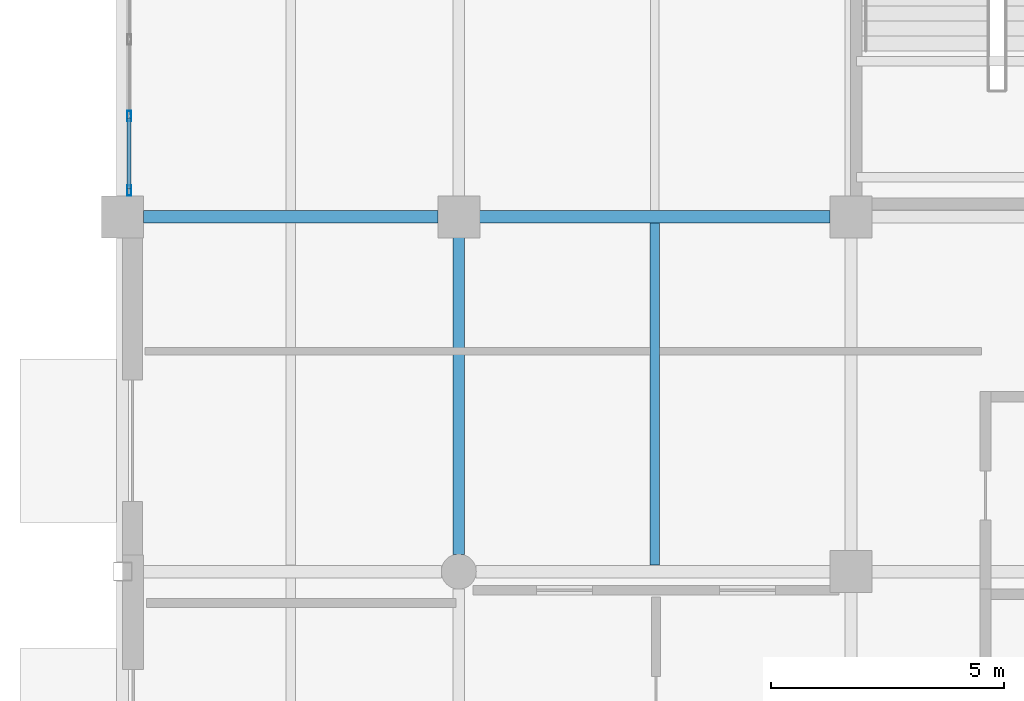
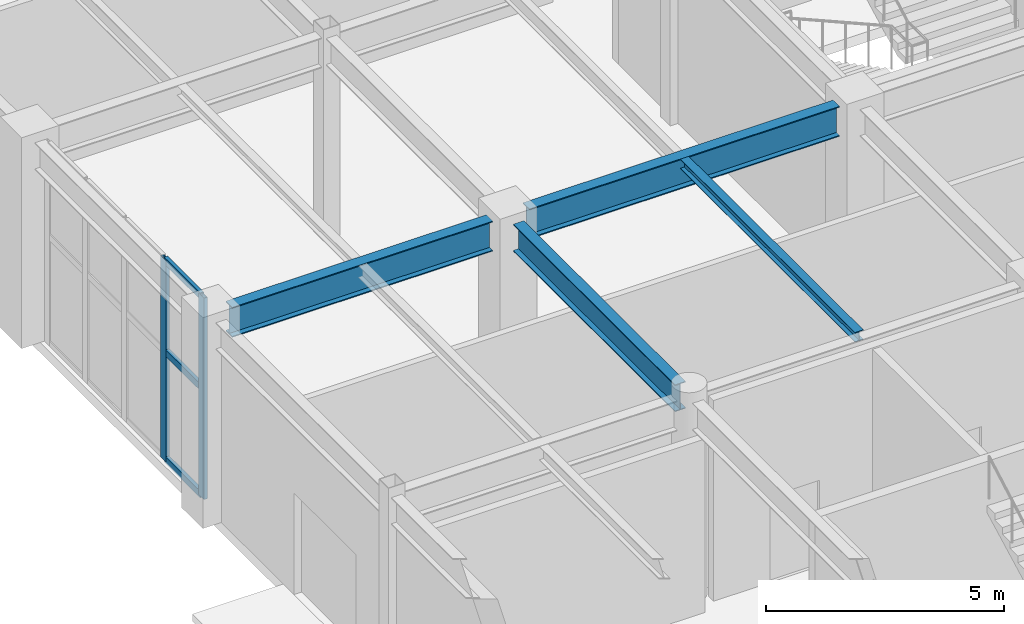
# One storey, part 18 of 139: 5 members, 4 beams, 1 element without a shape of its own.
"""IFC4 building model written with IfcOpenShell, lengths in metres."""

from ifc_helpers import new_model, si_unit, direction, frame, origin, origin_2d, place, context, subcontext, project, spatial, hollow_rectangle, i_section, extrude, material, layer, layer_set, material_profile, profile_set, type_object, element, aggregate, save


model = new_model("IFC4")

# Units and contexts
model_context = context("Model", 3, precision=1e-05, world=origin(), true_north=direction((0.0, 1.0)))
body_context = subcontext(model_context, "Body", "Model", "MODEL_VIEW")
ifc_project = project(units=[si_unit("LENGTHUNIT", "METRE"), si_unit("AREAUNIT", "SQUARE_METRE"), si_unit("VOLUMEUNIT", "CUBIC_METRE"), si_unit("PLANEANGLEUNIT", "RADIAN"), si_unit("MASSUNIT", "GRAM", prefix="KILO")], contexts=[model_context])

# Site, building, storey
site_placement = place(None, origin())
site = spatial("IfcSite", under=ifc_project, at=site_placement, CompositionType="ELEMENT")
building_placement = place(site_placement, origin())
building = spatial("IfcBuilding", under=site, at=building_placement, Name="Xicomal Pleat Aquarium", CompositionType="ELEMENT")
storey_placement = place(building_placement, origin())
storey = spatial("IfcBuildingStorey", under=building, at=storey_placement, Name="L01", CompositionType="ELEMENT", Elevation=0.0)

# Beams
ifc_material_1 = material(Name="Structural steel A992 Gr 50", Category="steel")
ifc_material_profile_1 = material_profile(ifc_material_1, i_section(OverallWidth=0.201904296875, OverallDepth=0.2470703125, WebThickness=0.00732421875, FlangeThickness=0.010986328125, at=origin_2d()), Name="IR 250x49")
ifc_profile_set_1 = profile_set([ifc_material_profile_1], Name="Structural steel A992 Gr 50")
beam_type_1 = type_object("IfcBeamType", Name="BM-STL-IR250", PredefinedType="JOIST", material=ifc_profile_set_1)
beam_1_placement = place(storey_placement, frame((14.39990234375, 38.136962890625, 5.03662109375), z_axis=(0.0, 1.0, 0.0), x_axis=(-1.0, 0.0, 0.0)))
element("IfcBeam", 1, at=beam_1_placement, inside=storey, type_object=beam_type_1, Name="L01 framing beam FBJ-L01-02-F-1", PredefinedType="JOIST", context=body_context, shape_type="SweptSolid", body=[
    extrude(i_section(OverallWidth=0.201904296875, OverallDepth=0.2470703125, WebThickness=0.00732421875, FlangeThickness=0.010986328125, at=origin_2d()), origin(), (0.0, 0.0, 1.0), 7.325927734375),
])
ifc_material_2 = material(Name="Structural steel A992 Gr 50", Category="steel")
ifc_material_profile_2 = material_profile(ifc_material_2, i_section(OverallWidth=0.256103515625, OverallDepth=0.693115234375, WebThickness=0.014404296875, FlangeThickness=0.023681640625, at=origin_2d()), Name="IR 690x170")
ifc_profile_set_2 = profile_set([ifc_material_profile_2], Name="Structural steel A992 Gr 50")
beam_type_2 = type_object("IfcBeamType", Name="BM-STL-IR690", PredefinedType="BEAM", material=ifc_profile_set_2)
beam_2_placement = place(storey_placement, frame((10.199951171875, 38.3701171875, 4.8134765625), z_axis=(0.0, 1.0, 0.0), x_axis=(-1.0, 0.0, 0.0)))
element("IfcBeam", 2, at=beam_2_placement, inside=storey, type_object=beam_type_2, Name="L01 framing beam FGY-L01-02-F-G", PredefinedType="BEAM", context=body_context, shape_type="SweptSolid", body=[
    extrude(i_section(OverallWidth=0.256103515625, OverallDepth=0.693115234375, WebThickness=0.014404296875, FlangeThickness=0.023681640625, at=origin_2d()), origin(), (0.0, 0.0, 1.0), 6.784912109375),
])
ifc_material_3 = material(Name="Structural steel A992 Gr 50", Category="steel")
ifc_material_profile_3 = material_profile(ifc_material_3, i_section(OverallWidth=0.26806640625, OverallDepth=0.77001953125, WebThickness=0.015625, FlangeThickness=0.025390625, at=origin_2d()), Name="IR 760x196")
ifc_profile_set_3 = profile_set([ifc_material_profile_3], Name="Structural steel A992 Gr 50")
beam_type_3 = type_object("IfcBeamType", Name="BM-STL-IR760", PredefinedType="BEAM", material=ifc_profile_set_3)
beam_3_placement = place(storey_placement, frame((3.445068359375, 45.60009765625, 4.77490234375), z_axis=(1.0, 0.0, 0.0), x_axis=(0.0, 1.0, 0.0)))
element("IfcBeam", 3, at=beam_3_placement, inside=storey, type_object=beam_type_3, Name="L01 framing beam FGX-L01-01-02-G", PredefinedType="BEAM", context=body_context, shape_type="SweptSolid", body=[
    extrude(i_section(OverallWidth=0.26806640625, OverallDepth=0.77001953125, WebThickness=0.015625, FlangeThickness=0.025390625, at=origin_2d()), origin(), (0.0, 0.0, 1.0), 6.309814453125),
])
beam_4_placement = place(storey_placement, frame((10.64501953125, 45.60009765625, 4.77490234375), z_axis=(1.0, 0.0, 0.0), x_axis=(0.0, 1.0, 0.0)))
element("IfcBeam", 4, at=beam_4_placement, inside=storey, type_object=beam_type_3, Name="L01 framing beam FGX-L01-02-03-G", PredefinedType="BEAM", context=body_context, shape_type="SweptSolid", body=[
    extrude(i_section(OverallWidth=0.26806640625, OverallDepth=0.77001953125, WebThickness=0.015625, FlangeThickness=0.025390625, at=origin_2d()), origin(), (0.0, 0.0, 1.0), 7.510009765625),
])

# Curtain wall, members
ifc_material_4 = material(Name="Bronze anodized aluminium 6063-T6", Category="aluminium")
ifc_layer = layer(ifc_material_4, 0.159912109375)
ifc_layer_set = layer_set([ifc_layer], Name="Bronze anodized aluminium 6063-T6")
curtain_wall_type = type_object("IfcCurtainWallType", Name="CW-SYS-11", PredefinedType="NOTDEFINED", material=ifc_layer_set)
curtain_wall_placement = place(storey_placement, origin())
curtain_wall = element("IfcCurtainWall", 5, at=curtain_wall_placement, inside=storey, type_object=curtain_wall_type, Name="L01 unitised curtain wall CW-L01-008", PredefinedType="NOTDEFINED")
ifc_material_5 = material(Name="Bronze anodized aluminium 6063-T6", Category="aluminium")
ifc_material_profile_4 = material_profile(ifc_material_5, hollow_rectangle(XDim=0.0849609375, YDim=0.219970703125, WallThickness=0.0048828125, at=origin_2d()), Name="ALU MULL 85x220")
ifc_profile_set_4 = profile_set([ifc_material_profile_4], Name="Bronze anodized aluminium 6063-T6")
member_type_1 = type_object("IfcMemberType", Name="CWM-85x220", PredefinedType="MULLION", material=ifc_profile_set_4)
member_1_placement = place(storey_placement, frame((3.139892578125, 46.16259765625, 0.0), z_axis=(0.0, 0.0, 1.0), x_axis=(-1.0, 0.0, 0.0)))
member_1 = element("IfcMember", 6, at=member_1_placement, type_object=member_type_1, Name="CW-11 mullion 1", PredefinedType="MULLION", context=body_context, shape_type="SweptSolid", body=[
    extrude(hollow_rectangle(XDim=0.0849609375, YDim=0.219970703125, WallThickness=0.0048828125, at=origin_2d()), origin(), (0.0, 0.0, 1.0), 5.159912109375),
])
member_2_placement = place(storey_placement, frame((3.139892578125, 47.760009765625, 0.0), z_axis=(0.0, 0.0, 1.0), x_axis=(-1.0, 0.0, 0.0)))
member_2 = element("IfcMember", 7, at=member_2_placement, type_object=member_type_1, Name="CW-11 mullion 2", PredefinedType="MULLION", context=body_context, shape_type="SweptSolid", body=[
    extrude(hollow_rectangle(XDim=0.0849609375, YDim=0.219970703125, WallThickness=0.0048828125, at=origin_2d()), origin(), (0.0, 0.0, 1.0), 5.159912109375),
])
ifc_material_6 = material(Name="Bronze anodized aluminium 6063-T6", Category="aluminium")
ifc_material_profile_5 = material_profile(ifc_material_6, hollow_rectangle(XDim=0.0849609375, YDim=0.169921875, WallThickness=0.0048828125, at=origin_2d()), Name="ALU TRAN 85x170")
ifc_profile_set_5 = profile_set([ifc_material_profile_5], Name="Bronze anodized aluminium 6063-T6")
member_type_2 = type_object("IfcMemberType", Name="CWT-85x170", PredefinedType="USERDEFINED", material=ifc_profile_set_5)
member_3_placement = place(storey_placement, frame((3.139892578125, 46.205078125, 0.04248046875), z_axis=(0.0, 1.0, 0.0), x_axis=(-1.0, 0.0, 0.0)))
member_3 = element("IfcMember", 8, at=member_3_placement, type_object=member_type_2, Name="CW-11 transom 1.1", ObjectType="TRANSOM", PredefinedType="USERDEFINED", context=body_context, shape_type="SweptSolid", body=[
    extrude(hollow_rectangle(XDim=0.0849609375, YDim=0.169921875, WallThickness=0.0048828125, at=origin_2d()), origin(), (0.0, 0.0, 1.0), 1.512451171875),
])
member_4_placement = place(storey_placement, frame((3.139892578125, 46.205078125, 2.785888671875), z_axis=(0.0, 1.0, 0.0), x_axis=(-1.0, 0.0, 0.0)))
member_4 = element("IfcMember", 9, at=member_4_placement, type_object=member_type_2, Name="CW-11 transom 1.2", ObjectType="TRANSOM", PredefinedType="USERDEFINED", context=body_context, shape_type="SweptSolid", body=[
    extrude(hollow_rectangle(XDim=0.0849609375, YDim=0.169921875, WallThickness=0.0048828125, at=origin_2d()), origin(), (0.0, 0.0, 1.0), 1.512451171875),
])
member_5_placement = place(storey_placement, frame((3.139892578125, 46.205078125, 5.117431640625), z_axis=(0.0, 1.0, 0.0), x_axis=(-1.0, 0.0, 0.0)))
member_5 = element("IfcMember", 10, at=member_5_placement, type_object=member_type_2, Name="CW-11 transom 1.3", ObjectType="TRANSOM", PredefinedType="USERDEFINED", context=body_context, shape_type="SweptSolid", body=[
    extrude(hollow_rectangle(XDim=0.0849609375, YDim=0.169921875, WallThickness=0.0048828125, at=origin_2d()), origin(), (0.0, 0.0, 1.0), 1.512451171875),
])
aggregate(curtain_wall, [member_1, member_2, member_3, member_4, member_5])

save(model, "model.ifc")
